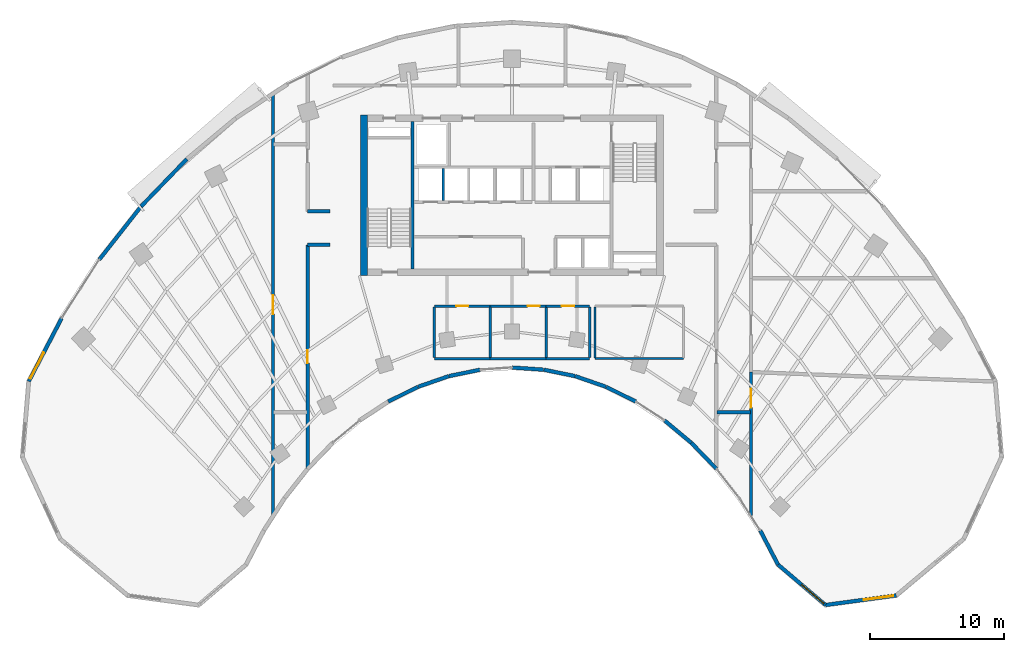
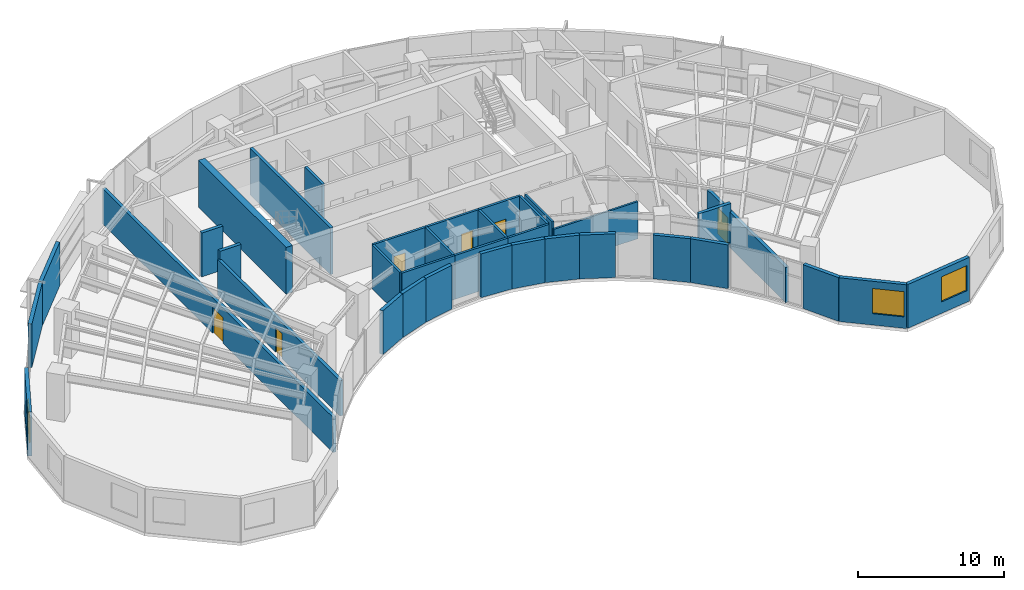
# One storey, part 8 of 13: 36 walls, 6 doors, 3 windows, 9 openings.
"""IFC4 building model written with IfcOpenShell, lengths in metres."""

import ifcopenshell
import ifcopenshell.guid

model = None  # the IFC model being written
_history = None  # IfcOwnerHistory: only IFC2X3 demands one
_inside = {}  # id of a spatial element -> (the spatial element, [elements in it])
_under = {}  # id of a project, library or spatial element -> (it, [spatial elements below it])
_declared = {}  # id of a project -> (the project, [libraries it declares])
_typed = {}  # id of a type object -> (the type object, [elements of that type])
_made_of = {}  # id of a material, layer set ... -> (it, [elements and type objects made of it])


def new_model(schema):
    """Start an empty IFC model of exactly this schema.

    Asked for "IFC4X3", IfcOpenShell would pick the latest addendum, in which some entities
    have other attributes; the version numbers below select the first issue.
    IFC2X3 requires an IfcOwnerHistory on every rooted entity: one is made here for all.
    """
    global model, _history
    if schema == "IFC4X3":
        model = ifcopenshell.file(schema_version=(4, 3, 0, 0))
    else:
        model = ifcopenshell.file(schema=schema)
    _inside.clear()
    _under.clear()
    _declared.clear()
    _typed.clear()
    _made_of.clear()
    _history = None
    if model.schema == "IFC2X3":
        org = make("IfcOrganization", Name="unknown")
        user = make(
            "IfcPersonAndOrganization",
            ThePerson=make("IfcPerson", FamilyName="unknown"),
            TheOrganization=org,
        )
        app = make(
            "IfcApplication",
            ApplicationDeveloper=org,
            Version="unknown",
            ApplicationFullName="unknown",
            ApplicationIdentifier="unknown",
        )
        _history = make(
            "IfcOwnerHistory",
            OwningUser=user,
            OwningApplication=app,
            ChangeAction="ADDED",
            CreationDate=0,
        )
    return model


def make(cls, **values):
    """One entity of the class cls with the attributes given. An attribute that is None is left unset."""
    return model.create_entity(
        cls, **{name: value for name, value in values.items() if value is not None}
    )


def rooted(cls, **values):
    """An entity with a GlobalId (a new one), such as an element, a storey or a relation."""
    return make(cls, GlobalId=ifcopenshell.guid.new(), OwnerHistory=_history, **values)


def si_unit(unit_type, name, prefix=None):
    """IfcSIUnit, for example si_unit("LENGTHUNIT", "METRE", prefix="MILLI")."""
    return make("IfcSIUnit", UnitType=unit_type, Prefix=prefix, Name=name)


def assignment(units):
    """IfcUnitAssignment: the units of a project."""
    return None if units is None else make("IfcUnitAssignment", Units=units)


def point(xyz):
    """IfcCartesianPoint."""
    return None if xyz is None else make("IfcCartesianPoint", Coordinates=xyz)


def direction(xyz):
    """IfcDirection."""
    return None if xyz is None else make("IfcDirection", DirectionRatios=xyz)


def frame(location, z_axis=None, x_axis=None):
    """IfcAxis2Placement3D, a coordinate frame: its origin and axes. An axis left out is left unset."""
    return make(
        "IfcAxis2Placement3D",
        Location=point(location),
        Axis=direction(z_axis),
        RefDirection=direction(x_axis),
    )


def frame_2d(location, x_axis=None):
    """IfcAxis2Placement2D, a coordinate frame in the plane: its origin and x axis."""
    return make(
        "IfcAxis2Placement2D", Location=point(location), RefDirection=direction(x_axis)
    )


def origin():
    """The frame at (0, 0, 0) with its axes left unset."""
    return frame((0.0, 0.0, 0.0))


def place(relative_to, where):
    """IfcLocalPlacement: puts the frame where relative to a parent placement (None: the world)."""
    return make(
        "IfcLocalPlacement", PlacementRelTo=relative_to, RelativePlacement=where
    )


def context(
    kind, dimensions, precision=None, world=None, true_north=None, identifier=None
):
    """IfcGeometricRepresentationContext, for example the 3D "Model" context."""
    return make(
        "IfcGeometricRepresentationContext",
        ContextIdentifier=identifier,
        ContextType=kind,
        CoordinateSpaceDimension=dimensions,
        Precision=precision,
        WorldCoordinateSystem=world,
        TrueNorth=true_north,
    )


def subcontext(parent, identifier, kind, view, scale=None):
    """IfcGeometricRepresentationSubContext, for example "Body" below "Model"."""
    return make(
        "IfcGeometricRepresentationSubContext",
        ContextIdentifier=identifier,
        ContextType=kind,
        ParentContext=parent,
        TargetScale=scale,
        TargetView=view,
    )


def project(units=None, contexts=None):
    """IfcProject with its units and contexts."""
    return rooted(
        "IfcProject",
        Name="project",
        RepresentationContexts=contexts,
        UnitsInContext=assignment(units),
    )


def spatial(cls, under=None, at=None, **own):
    """A site, building, storey or space (cls), placed at a placement, below another one or the project."""
    s = rooted(cls, ObjectPlacement=at, **own)
    if under is not None:
        _under.setdefault(under.id(), (under, []))[1].append(s)
    return s


def profile(cls, at=None, kind="AREA", **sizes):
    """A parametric profile (cls). Its sizes go by their IFC names, for example OverallWidth=200.0."""
    return make(cls, ProfileType=kind, Position=at, **sizes)


def rectangle(**sizes):
    """IfcRectangleProfileDef."""
    return profile("IfcRectangleProfileDef", **sizes)


def extrude(swept, where, along, depth):
    """IfcExtrudedAreaSolid: the profile swept, set in the frame where, extruded along a direction by depth."""
    return make(
        "IfcExtrudedAreaSolid",
        SweptArea=swept,
        Position=where,
        ExtrudedDirection=direction(along),
        Depth=depth,
    )


def shape(context_of_items, identifier, shape_type, items):
    """IfcShapeRepresentation: the items that make up one representation, for example the "Body"."""
    return make(
        "IfcShapeRepresentation",
        ContextOfItems=context_of_items,
        RepresentationIdentifier=identifier,
        RepresentationType=shape_type,
        Items=items,
    )


def source(mapping_origin, context_of_items, identifier, shape_type, items):
    """IfcRepresentationMap: a shape defined once, which mapped items show again and again."""
    return make(
        "IfcRepresentationMap",
        MappingOrigin=mapping_origin,
        MappedRepresentation=shape(context_of_items, identifier, shape_type, items),
    )


def transform(
    local_origin,
    x_axis=None,
    y_axis=None,
    z_axis=None,
    scale=None,
    scale2=None,
    scale3=None,
    uniform=True,
):
    """IfcCartesianTransformationOperator3D, or its non-uniform kind. x_axis, y_axis, z_axis: its Axis1, 2, 3."""
    if uniform:
        return make(
            "IfcCartesianTransformationOperator3D",
            Axis1=direction(x_axis),
            Axis2=direction(y_axis),
            LocalOrigin=point(local_origin),
            Scale=scale,
            Axis3=direction(z_axis),
        )
    return make(
        "IfcCartesianTransformationOperator3DnonUniform",
        Axis1=direction(x_axis),
        Axis2=direction(y_axis),
        LocalOrigin=point(local_origin),
        Scale=scale,
        Axis3=direction(z_axis),
        Scale2=scale2,
        Scale3=scale3,
    )


def mapped(mapping_source, mapping_target):
    """IfcMappedItem: shows the shape of a source again, moved by a transform."""
    return make(
        "IfcMappedItem", MappingSource=mapping_source, MappingTarget=mapping_target
    )


def material(Name=None, Category=None):
    """IfcMaterial."""
    return make("IfcMaterial", Name=Name, Category=Category)


def layer(
    of_material, thickness, ventilated=None, Name=None, Category=None, Priority=None
):
    """IfcMaterialLayer: one layer of a wall or slab, of a material (None: an air gap)."""
    return make(
        "IfcMaterialLayer",
        Material=of_material,
        LayerThickness=thickness,
        IsVentilated=ventilated,
        Name=Name,
        Category=Category,
        Priority=Priority,
    )


def layer_set(layers, Name=None):
    """IfcMaterialLayerSet."""
    return make("IfcMaterialLayerSet", MaterialLayers=layers, LayerSetName=Name)


def made_of(thing, what):
    """Note that an element or type object is made of a material, layer set ...; save() writes the relation."""
    if what is not None:
        _made_of.setdefault(what.id(), (what, []))[1].append(thing)
    return thing


def type_object(cls, material=None, **own):
    """A type object (cls), such as IfcWallType, which elements share."""
    return made_of(rooted(cls, **own), material)


def type_shapes(of_type, sources):
    """Give a type object the sources (RepresentationMaps) that its elements show as mapped items."""
    of_type.RepresentationMaps = sources


def element(
    cls,
    number,
    at=None,
    inside=None,
    cuts=None,
    type_object=None,
    material=None,
    context=None,
    identifier="Body",
    shape_type=None,
    held_by="IfcProductDefinitionShape",
    body=None,
    shapes=None,
    **own,
):
    """One element of the class cls, such as IfcWall. Its Tag is "e" and its number.

    at: its placement. inside: the storey or other place that contains it. cuts: it is an
    opening in that element (IfcRelVoidsElement). A single representation is given by context,
    identifier, shape_type and body (its items); several are given by shapes. held_by: the class
    of the entity that holds the representations. save() writes the other relations.
    """
    e = rooted(cls, Tag="e%d" % number, ObjectPlacement=at, **own)
    if body is not None:
        shapes = [shape(context, identifier, shape_type, body)]
    if shapes is not None:
        e.Representation = make(held_by, Representations=shapes)
    if inside is not None:
        _inside.setdefault(inside.id(), (inside, []))[1].append(e)
    if cuts is not None:
        rooted(
            "IfcRelVoidsElement", RelatingBuildingElement=cuts, RelatedOpeningElement=e
        )
    if type_object is not None:
        _typed.setdefault(type_object.id(), (type_object, []))[1].append(e)
    return made_of(e, material)


def fill(opening, filler):
    """IfcRelFillsElement: the door or window that sits in an opening."""
    return rooted(
        "IfcRelFillsElement",
        RelatingOpeningElement=opening,
        RelatedBuildingElement=filler,
    )


def aggregate(whole, parts):
    """IfcRelAggregates: a whole, such as a stair, and the parts it consists of."""
    return rooted("IfcRelAggregates", RelatingObject=whole, RelatedObjects=parts)


def save(model, path):
    """Write the relations noted so far, then the file.

    IfcRelAggregates (storeys below a building ...), IfcRelContainedInSpatialStructure (elements
    in a storey), IfcRelDefinesByType, IfcRelAssociatesMaterial and IfcRelDeclares: one each for
    every whole, place, type object, material and project.
    """
    for whole, parts in _under.values():
        aggregate(whole, parts)
    for where, things in _inside.values():
        rooted(
            "IfcRelContainedInSpatialStructure",
            RelatedElements=things,
            RelatingStructure=where,
        )
    for kind, things in _typed.values():
        rooted("IfcRelDefinesByType", RelatedObjects=things, RelatingType=kind)
    for what, things in _made_of.values():
        rooted("IfcRelAssociatesMaterial", RelatedObjects=things, RelatingMaterial=what)
    for by, libraries in _declared.values():
        rooted("IfcRelDeclares", RelatingContext=by, RelatedDefinitions=libraries)
    model.write(path)


model = new_model("IFC4")

# Units and contexts
model_context = context("Model", 3, precision=1e-05, world=origin(), true_north=direction((0.0, 1.0)))
body_context = subcontext(model_context, "Body", "Model", "MODEL_VIEW")
ifc_project = project(units=[si_unit("LENGTHUNIT", "METRE"), si_unit("AREAUNIT", "SQUARE_METRE"), si_unit("VOLUMEUNIT", "CUBIC_METRE"), si_unit("PLANEANGLEUNIT", "RADIAN"), si_unit("MASSUNIT", "GRAM", prefix="KILO")], contexts=[model_context])

# Site, building, storey
site_placement = place(None, origin())
site = spatial("IfcSite", under=ifc_project, at=site_placement, CompositionType="ELEMENT")
building_placement = place(site_placement, origin())
building = spatial("IfcBuilding", under=site, at=building_placement, Name="Breltana Convention Tower", CompositionType="ELEMENT")
storey_placement = place(building_placement, frame((0.0, 0.0, 127.199951171875)))
storey = spatial("IfcBuildingStorey", under=building, at=storey_placement, Name="L30", CompositionType="ELEMENT", Elevation=127.199951171875)

# Walls
ifc_material_1 = material(Name="Concrete C60/75", Category="concrete")
ifc_layer_1 = layer(ifc_material_1, 0.5, Name="Concrete C60/75")
ifc_layer_set_1 = layer_set([ifc_layer_1], Name="Concrete C60/75")
wall_type_1 = type_object("IfcWallType", Name="SW-CORE-500", PredefinedType="SHEAR", material=ifc_layer_set_1)
shared_shape_1 = source(origin(), body_context, "Body", "SweptSolid", [
    extrude(rectangle(XDim=12.0, YDim=0.5, at=frame_2d((6.0, 0.0))), origin(), (0.0, 0.0, 1.0), 3.900146484375),
])
wall_1_placement = place(storey_placement, frame((36.949951171875, 60.199951171875, 0.0), z_axis=(0.0, 0.0, 1.0), x_axis=(0.0, 1.0, 0.0)))
element("IfcWall", 1, at=wall_1_placement, inside=storey, type_object=wall_type_1, Name="L30 West Core Shear Wall", PredefinedType="SHEAR", context=body_context, shape_type="MappedRepresentation", body=[
    mapped(shared_shape_1, transform((0.0, 0.0, 0.0), scale=1.0)),
])
ifc_material_2 = material(Name="Concrete C50/60", Category="concrete")
ifc_layer_2 = layer(ifc_material_2, 0.39990234375, Name="Concrete C50/60")
ifc_layer_set_2 = layer_set([ifc_layer_2], Name="Concrete C50/60")
wall_type_2 = type_object("IfcWallType", Name="SW-CORE-400", PredefinedType="SHEAR", material=ifc_layer_set_2)
shared_shape_2 = source(origin(), body_context, "Body", "SweptSolid", [
    extrude(rectangle(XDim=11.0, YDim=0.219970703125, at=frame_2d((5.5, 0.0))), origin(), (0.0, 0.0, 1.0), 3.900146484375),
])
wall_2_placement = place(storey_placement, frame((40.580078125, 60.699951171875, 0.0), z_axis=(0.0, 0.0, 1.0), x_axis=(0.0, 1.0, 0.0)))
element("IfcWall", 2, at=wall_2_placement, inside=storey, type_object=wall_type_2, Name="L30 Core West Stair Spine Wall", PredefinedType="SHEAR", context=body_context, shape_type="MappedRepresentation", body=[
    mapped(shared_shape_2, transform((0.0, 0.0, 0.0), scale=1.0)),
])

# Wall, opening, window
ifc_material_3 = material(Name="Limestone Buff Insulated Wall", Category="masonry")
ifc_layer_3 = layer(ifc_material_3, 0.280029296875, Name="Limestone Buff Insulated Wall")
ifc_layer_set_3 = layer_set([ifc_layer_3], Name="Limestone Buff Insulated Wall")
wall_type_3 = type_object("IfcWallType", Name="WL-EXT-NOSE-280", PredefinedType="SOLIDWALL", material=ifc_layer_set_3)
shared_shape_3 = source(origin(), body_context, "Body", "SweptSolid", [
    extrude(rectangle(XDim=5.32373046875, YDim=0.280029296875, at=frame_2d((2.661865234375, 0.0))), origin(), (0.0, 0.0, 1.0), 3.650146484375),
])
wall_3_placement = place(storey_placement, frame((76.685791015625, 36.321533203125, 0.0), z_axis=(0.0, 0.0, 1.0), x_axis=(-0.990931467223, -0.134368252451, 0.0)))
wall_3 = element("IfcWall", 3, at=wall_3_placement, inside=storey, type_object=wall_type_3, Name="L30 curved limestone nose wall E4", PredefinedType="SOLIDWALL", context=body_context, shape_type="MappedRepresentation", body=[
    mapped(shared_shape_3, transform((0.0, 0.0, 0.0), scale=1.0)),
])
opening_1_placement = place(wall_3_placement, frame((0.23095703125, 0.0, 0.949951171875)))
opening_1 = element("IfcOpeningElement", 4, at=opening_1_placement, cuts=wall_3, Name="Opening W-03", PredefinedType="OPENING", context=body_context, shape_type="SweptSolid", body=[
    extrude(rectangle(XDim=2.199951171875, YDim=2.10009765625, at=frame_2d((1.10009765625, 1.050048828125))), frame((0.0, 0.14990234375, 0.0), z_axis=(0.0, -1.0, 0.0), x_axis=(1.0, 0.0, 0.0)), (0.0, 0.0, 1.0), 0.300048828125),
])
ifc_material_4 = material(Name="Glass Low-E Insulated Window", Category="glass")
window_type = type_object("IfcWindowType", Name="WN-NOSE-2200X2100", PartitioningType="TRIPLE_PANEL_VERTICAL", PredefinedType="WINDOW", material=ifc_material_4)
shared_shape_4 = source(origin(), body_context, "Body", "SweptSolid", [
    extrude(rectangle(XDim=2.199951171875, YDim=2.10009765625, at=frame_2d((1.10009765625, 1.050048828125))), frame((0.0, 0.030029296875, 0.0), z_axis=(0.0, -1.0, 0.0), x_axis=(1.0, 0.0, 0.0)), (0.0, 0.0, 1.0), 0.06005859375),
])
type_shapes(window_type, [shared_shape_4])
window_1_placement = place(opening_1_placement, origin())
window_1 = element("IfcWindow", 5, at=window_1_placement, inside=storey, type_object=window_type, Name="L30 nose window E4", OverallHeight=2.10009765625, OverallWidth=2.199951171875, PartitioningType="TRIPLE_PANEL_VERTICAL", PredefinedType="WINDOW", context=body_context, shape_type="MappedRepresentation", body=[
    mapped(shared_shape_4, transform((0.0, 0.0, 0.0), scale=1.0)),
])
fill(opening_1, window_1)

shared_shape_5 = source(origin(), body_context, "Body", "SweptSolid", [
    extrude(rectangle(XDim=4.6591796875, YDim=0.280029296875, at=frame_2d((2.32958984375, 0.0))), origin(), (0.0, 0.0, 1.0), 3.650146484375),
])
wall_4_placement = place(storey_placement, frame((71.410400390625, 35.606201171875, 0.0), z_axis=(0.0, 0.0, 1.0), x_axis=(-0.761913458795, 0.647678841176, 0.0)))
wall_4 = element("IfcWall", 6, at=wall_4_placement, inside=storey, type_object=wall_type_3, Name="L30 curved limestone nose wall E5", PredefinedType="SOLIDWALL", context=body_context, shape_type="MappedRepresentation", body=[
    mapped(shared_shape_5, transform((0.0, 0.0, 0.0), scale=1.0)),
])
opening_2_placement = place(wall_4_placement, frame((0.159912109375, 0.0, 0.949951171875)))
opening_2 = element("IfcOpeningElement", 7, at=opening_2_placement, cuts=wall_4, Name="Opening W-03", PredefinedType="OPENING", context=body_context, shape_type="SweptSolid", body=[
    extrude(rectangle(XDim=2.199951171875, YDim=2.10009765625, at=frame_2d((1.10009765625, 1.050048828125))), frame((0.0, 0.14990234375, 0.0), z_axis=(0.0, -1.0, 0.0), x_axis=(1.0, 0.0, 0.0)), (0.0, 0.0, 1.0), 0.300048828125),
])
window_2_placement = place(opening_2_placement, origin())
window_2 = element("IfcWindow", 8, at=window_2_placement, inside=storey, type_object=window_type, Name="L30 nose window E5", OverallHeight=2.10009765625, OverallWidth=2.199951171875, PartitioningType="TRIPLE_PANEL_VERTICAL", PredefinedType="WINDOW", context=body_context, shape_type="MappedRepresentation", body=[
    mapped(shared_shape_4, transform((0.0, 0.0, 0.0), scale=1.0)),
])
fill(opening_2, window_2)

# Walls
shared_shape_6 = source(origin(), body_context, "Body", "SweptSolid", [
    extrude(rectangle(XDim=2.8798828125, YDim=0.280029296875, at=frame_2d((1.43994140625, 0.0))), origin(), (0.0, 0.0, 1.0), 3.650146484375),
])
wall_5_placement = place(storey_placement, frame((67.860595703125, 38.623779296875, 0.0), z_axis=(0.0, 0.0, 1.0), x_axis=(-0.461769086658, 0.887000175088, 0.0)))
element("IfcWall", 9, at=wall_5_placement, inside=storey, type_object=wall_type_3, Name="L30 curved limestone nose wall E6", PredefinedType="SOLIDWALL", context=body_context, shape_type="MappedRepresentation", body=[
    mapped(shared_shape_6, transform((0.0, 0.0, 0.0), scale=1.0)),
])
shared_shape_7 = source(origin(), body_context, "Body", "SweptSolid", [
    extrude(rectangle(XDim=2.679931640625, YDim=0.280029296875, at=frame_2d((1.33984375, 0.0))), origin(), (0.0, 0.0, 1.0), 3.650146484375),
])
wall_6_placement = place(storey_placement, frame((63.260009765625, 45.780029296875, 0.0), z_axis=(0.0, 0.0, 1.0), x_axis=(-0.694561996568, 0.719432855049, 0.0)))
element("IfcWall", 10, at=wall_6_placement, inside=storey, type_object=wall_type_3, Name="L30 curved limestone nose wall E7", PredefinedType="SOLIDWALL", context=body_context, shape_type="MappedRepresentation", body=[
    mapped(shared_shape_7, transform((0.0, 0.0, 0.0), scale=1.0)),
])
shared_shape_8 = source(origin(), body_context, "Body", "SweptSolid", [
    extrude(rectangle(XDim=2.600830078125, YDim=0.280029296875, at=frame_2d((1.30029296875, 0.0))), origin(), (0.0, 0.0, 1.0), 3.650146484375),
])
wall_7_placement = place(storey_placement, frame((61.384521484375, 47.72119140625, 0.0), z_axis=(0.0, 0.0, 1.0), x_axis=(-0.76796730295, 0.640489048775, 0.0)))
element("IfcWall", 11, at=wall_7_placement, inside=storey, type_object=wall_type_3, Name="L30 curved limestone nose wall E8", PredefinedType="SOLIDWALL", context=body_context, shape_type="MappedRepresentation", body=[
    mapped(shared_shape_8, transform((0.0, 0.0, 0.0), scale=1.0)),
])
shared_shape_9 = source(origin(), body_context, "Body", "SweptSolid", [
    extrude(rectangle(XDim=2.46240234375, YDim=0.280029296875, at=frame_2d((1.231201171875, 0.0))), origin(), (0.0, 0.0, 1.0), 3.650146484375),
])
for number, where, z_axis, x_axis, name in (
    (12, (57.239013671875, 50.797119140625, 0.0), (0.0, 0.0, 1.0), (-0.8959882207, 0.444077817917, 0.0), "L30 curved limestone nose wall E9"),
    (13, (40.96728515625, 51.890625, 0.0), (0.0, 0.0, 1.0), (-0.8959882207, -0.444077817917, 0.0), "L30 curved limestone nose wall E15"),
):
    element("IfcWall", number, at=place(storey_placement, frame(where, z_axis=z_axis, x_axis=x_axis)), inside=storey, type_object=wall_type_3, Name=name, PredefinedType="SOLIDWALL", context=body_context, shape_type="MappedRepresentation", body=[
        mapped(shared_shape_9, transform((0.0, 0.0, 0.0), scale=1.0)),
    ])
shared_shape_10 = source(origin(), body_context, "Body", "SweptSolid", [
    extrude(rectangle(XDim=2.41064453125, YDim=0.280029296875, at=frame_2d((1.205322265625, 0.0))), origin(), (0.0, 0.0, 1.0), 3.650146484375),
])
for number, where, z_axis, x_axis, name in (
    (14, (55.01171875, 51.8994140625, 0.0), (0.0, 0.0, 1.0), (-0.944880068161, 0.327416640982, 0.0), "L30 curved limestone nose wall E10"),
    (15, (43.26611328125, 52.688720703125, 0.0), (0.0, 0.0, 1.0), (-0.944880068161, -0.327416640982, 0.0), "L30 curved limestone nose wall E14"),
):
    element("IfcWall", number, at=place(storey_placement, frame(where, z_axis=z_axis, x_axis=x_axis)), inside=storey, type_object=wall_type_3, Name=name, PredefinedType="SOLIDWALL", context=body_context, shape_type="MappedRepresentation", body=[
        mapped(shared_shape_10, transform((0.0, 0.0, 0.0), scale=1.0)),
    ])
shared_shape_11 = source(origin(), body_context, "Body", "SweptSolid", [
    extrude(rectangle(XDim=2.373779296875, YDim=0.280029296875, at=frame_2d((1.18701171875, 0.0))), origin(), (0.0, 0.0, 1.0), 3.650146484375),
])
for number, where, z_axis, x_axis, name in (
    (16, (52.711181640625, 52.695068359375, 0.0), (0.0, 0.0, 1.0), (-0.979619827472, 0.200860632341, 0.0), "L30 curved limestone nose wall E11"),
    (17, (45.6142578125, 53.171875, 0.0), (0.0, 0.0, 1.0), (-0.979619827472, -0.200860632341, 0.0), "L30 curved limestone nose wall E13"),
):
    element("IfcWall", number, at=place(storey_placement, frame(where, z_axis=z_axis, x_axis=x_axis)), inside=storey, type_object=wall_type_3, Name=name, PredefinedType="SOLIDWALL", context=body_context, shape_type="MappedRepresentation", body=[
        mapped(shared_shape_11, transform((0.0, 0.0, 0.0), scale=1.0)),
    ])
shared_shape_12 = source(origin(), body_context, "Body", "SweptSolid", [
    extrude(rectangle(XDim=2.35498046875, YDim=0.280029296875, at=frame_2d((1.177490234375, 0.0))), origin(), (0.0, 0.0, 1.0), 3.650146484375),
])
wall_8_placement = place(storey_placement, frame((50.36181640625, 53.175048828125, 0.0), z_axis=(0.0, 0.0, 1.0), x_axis=(-0.997699017577, 0.067798748701, 0.0)))
element("IfcWall", 18, at=wall_8_placement, inside=storey, type_object=wall_type_3, Name="L30 curved limestone nose wall E12", PredefinedType="SOLIDWALL", context=body_context, shape_type="MappedRepresentation", body=[
    mapped(shared_shape_12, transform((0.0, 0.0, 0.0), scale=1.0)),
])

# Wall, opening, window
shared_shape_13 = source(origin(), body_context, "Body", "SweptSolid", [
    extrude(rectangle(XDim=5.315185546875, YDim=0.280029296875, at=frame_2d((2.65771484375, 0.0))), origin(), (0.0, 0.0, 1.0), 3.650146484375),
])
wall_9_placement = place(storey_placement, frame((11.92236328125, 52.305419921875, 0.0), z_axis=(0.0, 0.0, 1.0), x_axis=(0.461760527822, 0.887004630735, 0.0)))
wall_9 = element("IfcWall", 19, at=wall_9_placement, inside=storey, type_object=wall_type_3, Name="L30 curved limestone nose wall W7", PredefinedType="SOLIDWALL", context=body_context, shape_type="MappedRepresentation", body=[
    mapped(shared_shape_13, transform((0.0, 0.0, 0.0), scale=1.0)),
])
opening_3_placement = place(wall_9_placement, frame((0.228759765625, 0.0, 0.949951171875)))
opening_3 = element("IfcOpeningElement", 20, at=opening_3_placement, cuts=wall_9, Name="Opening W-03", PredefinedType="OPENING", context=body_context, shape_type="SweptSolid", body=[
    extrude(rectangle(XDim=2.199951171875, YDim=2.10009765625, at=frame_2d((1.10009765625, 1.050048828125))), frame((0.0, 0.14990234375, 0.0), z_axis=(0.0, -1.0, 0.0), x_axis=(1.0, 0.0, 0.0)), (0.0, 0.0, 1.0), 0.300048828125),
])
window_3_placement = place(opening_3_placement, origin())
window_3 = element("IfcWindow", 21, at=window_3_placement, inside=storey, type_object=window_type, Name="L30 nose window W7", OverallHeight=2.10009765625, OverallWidth=2.199951171875, PartitioningType="TRIPLE_PANEL_VERTICAL", PredefinedType="WINDOW", context=body_context, shape_type="MappedRepresentation", body=[
    mapped(shared_shape_4, transform((0.0, 0.0, 0.0), scale=1.0)),
])
fill(opening_3, window_3)

# Walls
shared_shape_14 = source(origin(), body_context, "Body", "SweptSolid", [
    extrude(rectangle(XDim=5.05810546875, YDim=0.280029296875, at=frame_2d((2.529052734375, 0.0))), origin(), (0.0, 0.0, 1.0), 3.650146484375),
])
wall_10_placement = place(storey_placement, frame((17.1884765625, 61.400390625, 0.0), z_axis=(0.0, 0.0, 1.0), x_axis=(0.618145507434, 0.786063694391, 0.0)))
element("IfcWall", 22, at=wall_10_placement, inside=storey, type_object=wall_type_3, Name="L30 curved limestone nose wall E20", PredefinedType="SOLIDWALL", context=body_context, shape_type="MappedRepresentation", body=[
    mapped(shared_shape_14, transform((0.0, 0.0, 0.0), scale=1.0)),
])
shared_shape_15 = source(origin(), body_context, "Body", "SweptSolid", [
    extrude(rectangle(XDim=4.908447265625, YDim=0.280029296875, at=frame_2d((2.4541015625, 0.0))), origin(), (0.0, 0.0, 1.0), 3.650146484375),
])
wall_11_placement = place(storey_placement, frame((20.315185546875, 65.37646484375, 0.0), z_axis=(0.0, 0.0, 1.0), x_axis=(0.694613154328, 0.719383462302, 0.0)))
element("IfcWall", 23, at=wall_11_placement, inside=storey, type_object=wall_type_3, Name="L30 curved limestone nose wall E21", PredefinedType="SOLIDWALL", context=body_context, shape_type="MappedRepresentation", body=[
    mapped(shared_shape_15, transform((0.0, 0.0, 0.0), scale=1.0)),
])
ifc_material_5 = material(Name="Gypsum Acoustic Drywall Partition")
ifc_layer_4 = layer(ifc_material_5, 0.14990234375, Name="Gypsum Acoustic Drywall Partition")
ifc_layer_set_4 = layer_set([ifc_layer_4], Name="Gypsum Acoustic Drywall Partition")
wall_type_4 = type_object("IfcWallType", Name="WL-PART-150", PredefinedType="PARTITIONING", material=ifc_layer_set_4)
shared_shape_16 = source(origin(), body_context, "Body", "SweptSolid", [
    extrude(rectangle(XDim=6.60009765625, YDim=0.14990234375, at=frame_2d((3.300048828125, 0.0))), origin(), (0.0, 0.0, 1.0), 3.094970703125),
])
wall_12_placement = place(storey_placement, frame((54.199951171875, 54.0, 0.0), z_axis=(0.0, 0.0, 1.0), x_axis=(1.0, 0.0, 0.0)))
element("IfcWall", 24, at=wall_12_placement, inside=storey, type_object=wall_type_4, Name="L30 interior partition W-L30-PNT-S", PredefinedType="PARTITIONING", context=body_context, shape_type="MappedRepresentation", body=[
    mapped(shared_shape_16, transform((0.0, 0.0, 0.0), scale=1.0)),
])
ifc_material_6 = material(Name="Autoclaved Aerated Concrete Block", Category="concrete")
ifc_layer_5 = layer(ifc_material_6, 0.199951171875, Name="Autoclaved Aerated Concrete Block")
ifc_layer_set_5 = layer_set([ifc_layer_5], Name="Autoclaved Aerated Concrete Block")
wall_type_5 = type_object("IfcWallType", Name="WL-SHAFT-200", PredefinedType="SOLIDWALL", material=ifc_layer_set_5)
shared_shape_17 = source(origin(), body_context, "Body", "SweptSolid", [
    extrude(rectangle(XDim=2.39990234375, YDim=0.199951171875, at=frame_2d((1.199951171875, 0.0))), origin(), (0.0, 0.0, 1.0), 3.650146484375),
])
wall_13_placement = place(storey_placement, frame((42.8701171875, 65.800048828125, 0.0), z_axis=(0.0, 0.0, 1.0), x_axis=(0.0, 1.0, 0.0)))
element("IfcWall", 25, at=wall_13_placement, inside=storey, type_object=wall_type_5, Name="L30 interior partition W-L30-SH-M-DIV1", PredefinedType="SOLIDWALL", context=body_context, shape_type="MappedRepresentation", body=[
    mapped(shared_shape_17, transform((0.0, 0.0, 0.0), scale=1.0)),
])
ifc_material_7 = material(Name="Cement Board Wet-Area Partition")
ifc_layer_6 = layer(ifc_material_7, 0.175048828125, Name="Cement Board Wet-Area Partition")
ifc_layer_set_6 = layer_set([ifc_layer_6], Name="Cement Board Wet-Area Partition")
wall_type_6 = type_object("IfcWallType", Name="WL-WET-175", PredefinedType="PARTITIONING", material=ifc_layer_set_6)
shared_shape_18 = source(origin(), body_context, "Body", "SweptSolid", [
    extrude(rectangle(XDim=4.176025390625, YDim=0.175048828125, at=frame_2d((2.087890625, 0.0))), origin(), (0.0, 0.0, 1.0), 3.650146484375),
])
for number, where, z_axis, x_axis, name in (
    (26, (42.199951171875, 54.0, 0.0), (0.0, 0.0, 1.0), (1.0, 0.0, 0.0), "L30 interior partition W-L30-WCM-S"),
    (27, (46.3759765625, 54.0, 0.0), (0.0, 0.0, 1.0), (1.0, 0.0, 0.0), "L30 interior partition W-L30-WCF-S"),
):
    element("IfcWall", number, at=place(storey_placement, frame(where, z_axis=z_axis, x_axis=x_axis)), inside=storey, type_object=wall_type_6, Name=name, PredefinedType="PARTITIONING", context=body_context, shape_type="MappedRepresentation", body=[
        mapped(shared_shape_18, transform((0.0, 0.0, 0.0), scale=1.0)),
    ])

# Wall, opening, door
ifc_material_8 = material(Name="Moisture-Resistant Gypsum Chase Wall")
ifc_layer_7 = layer(ifc_material_8, 0.179931640625, Name="Moisture-Resistant Gypsum Chase Wall")
ifc_layer_set_7 = layer_set([ifc_layer_7], Name="Moisture-Resistant Gypsum Chase Wall")
wall_type_7 = type_object("IfcWallType", Name="WL-PLUMB-180", PredefinedType="PLUMBINGWALL", material=ifc_layer_set_7)
shared_shape_19 = source(origin(), body_context, "Body", "SweptSolid", [
    extrude(rectangle(XDim=4.176025390625, YDim=0.179931640625, at=frame_2d((2.087890625, 0.0))), origin(), (0.0, 0.0, 1.0), 3.650146484375),
])
wall_14_placement = place(storey_placement, frame((42.199951171875, 57.919921875, 0.0), z_axis=(0.0, 0.0, 1.0), x_axis=(1.0, 0.0, 0.0)))
wall_14 = element("IfcWall", 28, at=wall_14_placement, inside=storey, type_object=wall_type_7, Name="L30 interior partition W-L30-WCM-N", PredefinedType="PLUMBINGWALL", context=body_context, shape_type="MappedRepresentation", body=[
    mapped(shared_shape_19, transform((0.0, 0.0, 0.0), scale=1.0)),
])
opening_4_placement = place(wall_14_placement, frame((1.637939453125, 0.0, 0.0)))
opening_4 = element("IfcOpeningElement", 29, at=opening_4_placement, cuts=wall_14, Name="Opening D-19", PredefinedType="OPENING", context=body_context, shape_type="SweptSolid", body=[
    extrude(rectangle(XDim=0.89990234375, YDim=2.080078125, at=frame_2d((0.449951171875, 1.0400390625))), frame((0.0, 0.10009765625, 0.0), z_axis=(0.0, -1.0, 0.0), x_axis=(1.0, 0.0, 0.0)), (0.0, 0.0, 1.0), 0.199951171875),
])
ifc_material_9 = material(Name="Timber Moisture-Resistant Door", Category="wood")
door_type_1 = type_object("IfcDoorType", Name="DR-WC-900", OperationType="NOTDEFINED", PredefinedType="DOOR", material=ifc_material_9)
shared_shape_20 = source(origin(), body_context, "Body", "SweptSolid", [
    extrude(rectangle(XDim=0.89990234375, YDim=2.080078125, at=frame_2d((0.449951171875, 1.0400390625))), frame((0.0, 0.02490234375, 0.0), z_axis=(0.0, -1.0, 0.0), x_axis=(1.0, 0.0, 0.0)), (0.0, 0.0, 1.0), 0.050048828125),
])
type_shapes(door_type_1, [shared_shape_20])
door_1_placement = place(opening_4_placement, origin())
door_1 = element("IfcDoor", 30, at=door_1_placement, inside=storey, type_object=door_type_1, Name="L30 interior door D-L30-WCM", OperationType="SINGLE_SWING_RIGHT", OverallHeight=2.080078125, OverallWidth=0.89990234375, PredefinedType="DOOR", context=body_context, shape_type="MappedRepresentation", body=[
    mapped(shared_shape_20, transform((0.0, 0.0, 0.0), scale=1.0)),
])
fill(opening_4, door_1)

wall_15_placement = place(storey_placement, frame((46.3759765625, 57.919921875, 0.0), z_axis=(0.0, 0.0, 1.0), x_axis=(1.0, 0.0, 0.0)))
wall_15 = element("IfcWall", 31, at=wall_15_placement, inside=storey, type_object=wall_type_7, Name="L30 interior partition W-L30-WCF-N", PredefinedType="PLUMBINGWALL", context=body_context, shape_type="MappedRepresentation", body=[
    mapped(shared_shape_19, transform((0.0, 0.0, 0.0), scale=1.0)),
])
opening_5_placement = place(wall_15_placement, frame((2.7880859375, 0.0, 0.0)))
opening_5 = element("IfcOpeningElement", 32, at=opening_5_placement, cuts=wall_15, Name="Opening D-19", PredefinedType="OPENING", context=body_context, shape_type="SweptSolid", body=[
    extrude(rectangle(XDim=0.89990234375, YDim=2.080078125, at=frame_2d((0.449951171875, 1.0400390625))), frame((0.0, 0.10009765625, 0.0), z_axis=(0.0, -1.0, 0.0), x_axis=(1.0, 0.0, 0.0)), (0.0, 0.0, 1.0), 0.199951171875),
])
door_2_placement = place(opening_5_placement, origin())
door_2 = element("IfcDoor", 33, at=door_2_placement, inside=storey, type_object=door_type_1, Name="L30 interior door D-L30-WCF", OperationType="SINGLE_SWING_LEFT", OverallHeight=2.080078125, OverallWidth=0.89990234375, PredefinedType="DOOR", context=body_context, shape_type="MappedRepresentation", body=[
    mapped(shared_shape_20, transform((0.0, 0.0, 0.0), scale=1.0)),
])
fill(opening_5, door_2)

# Walls
shared_shape_21 = source(origin(), body_context, "Body", "SweptSolid", [
    extrude(rectangle(XDim=3.7626953125, YDim=0.175048828125, at=frame_2d((1.88134765625, 0.0))), origin(), (0.0, 0.0, 1.0), 3.650146484375),
])
for number, where, z_axis, x_axis, name in (
    (34, (42.199951171875, 54.07861328125, 0.0), (0.0, 0.0, 1.0), (0.0, 1.0, 0.0), "L30 interior partition W-L30-WCM-W"),
    (35, (46.3759765625, 54.07861328125, 0.0), (0.0, 0.0, 1.0), (0.0, 1.0, 0.0), "L30 interior partition W-L30-WCM-E"),
    (36, (50.552001953125, 54.07861328125, 0.0), (0.0, 0.0, 1.0), (0.0, 1.0, 0.0), "L30 interior partition W-L30-WCF-E"),
    (37, (53.800048828125, 54.07861328125, 0.0), (0.0, 0.0, 1.0), (0.0, 1.0, 0.0), "L30 interior partition W-L30-WCA-E"),
):
    element("IfcWall", number, at=place(storey_placement, frame(where, z_axis=z_axis, x_axis=x_axis)), inside=storey, type_object=wall_type_6, Name=name, PredefinedType="PARTITIONING", context=body_context, shape_type="MappedRepresentation", body=[
        mapped(shared_shape_21, transform((0.0, 0.0, 0.0), scale=1.0)),
    ])
shared_shape_22 = source(origin(), body_context, "Body", "SweptSolid", [
    extrude(rectangle(XDim=3.248046875, YDim=0.175048828125, at=frame_2d((1.6240234375, 0.0))), origin(), (0.0, 0.0, 1.0), 3.650146484375),
])
wall_16_placement = place(storey_placement, frame((50.552001953125, 54.0, 0.0), z_axis=(0.0, 0.0, 1.0), x_axis=(1.0, 0.0, 0.0)))
element("IfcWall", 38, at=wall_16_placement, inside=storey, type_object=wall_type_6, Name="L30 interior partition W-L30-WCA-S", PredefinedType="PARTITIONING", context=body_context, shape_type="MappedRepresentation", body=[
    mapped(shared_shape_22, transform((0.0, 0.0, 0.0), scale=1.0)),
])

# Wall, opening, door
shared_shape_23 = source(origin(), body_context, "Body", "SweptSolid", [
    extrude(rectangle(XDim=3.248046875, YDim=0.179931640625, at=frame_2d((1.6240234375, 0.0))), origin(), (0.0, 0.0, 1.0), 3.650146484375),
])
wall_17_placement = place(storey_placement, frame((50.552001953125, 57.919921875, 0.0), z_axis=(0.0, 0.0, 1.0), x_axis=(1.0, 0.0, 0.0)))
wall_17 = element("IfcWall", 39, at=wall_17_placement, inside=storey, type_object=wall_type_7, Name="L30 interior partition W-L30-WCA-N", PredefinedType="PLUMBINGWALL", context=body_context, shape_type="MappedRepresentation", body=[
    mapped(shared_shape_23, transform((0.0, 0.0, 0.0), scale=1.0)),
])
opening_6_placement = place(wall_17_placement, frame((1.14892578125, 0.0, 0.0)))
opening_6 = element("IfcOpeningElement", 40, at=opening_6_placement, cuts=wall_17, Name="Opening D-16", PredefinedType="OPENING", context=body_context, shape_type="SweptSolid", body=[
    extrude(rectangle(XDim=0.949951171875, YDim=2.1201171875, at=frame_2d((0.47509765625, 1.06005859375))), frame((0.0, 0.10009765625, 0.0), z_axis=(0.0, -1.0, 0.0), x_axis=(1.0, 0.0, 0.0)), (0.0, 0.0, 1.0), 0.199951171875),
])
ifc_material_10 = material(Name="Timber Laminate Accessible Door", Category="wood")
door_type_2 = type_object("IfcDoorType", Name="DR-ACC-950", OperationType="NOTDEFINED", PredefinedType="DOOR", material=ifc_material_10)
shared_shape_24 = source(origin(), body_context, "Body", "SweptSolid", [
    extrude(rectangle(XDim=0.949951171875, YDim=2.1201171875, at=frame_2d((0.47509765625, 1.06005859375))), frame((0.0, 0.02490234375, 0.0), z_axis=(0.0, -1.0, 0.0), x_axis=(1.0, 0.0, 0.0)), (0.0, 0.0, 1.0), 0.050048828125),
])
type_shapes(door_type_2, [shared_shape_24])
door_3_placement = place(opening_6_placement, origin())
door_3 = element("IfcDoor", 41, at=door_3_placement, inside=storey, type_object=door_type_2, Name="L30 interior door D-L30-WCA", OperationType="SINGLE_SWING_RIGHT", OverallHeight=2.1201171875, OverallWidth=0.949951171875, PredefinedType="DOOR", context=body_context, shape_type="MappedRepresentation", body=[
    mapped(shared_shape_24, transform((0.0, 0.0, 0.0), scale=1.0)),
])
fill(opening_6, door_3)

# Walls
shared_shape_25 = source(origin(), body_context, "Body", "SweptSolid", [
    extrude(rectangle(XDim=3.78515625, YDim=0.14990234375, at=frame_2d((1.892578125, 0.0))), origin(), (0.0, 0.0, 1.0), 3.650146484375),
])
wall_18_placement = place(storey_placement, frame((54.199951171875, 54.0673828125, 0.0), z_axis=(0.0, 0.0, 1.0), x_axis=(0.0, 1.0, 0.0)))
element("IfcWall", 42, at=wall_18_placement, inside=storey, type_object=wall_type_4, Name="L30 interior partition W-L30-PNT-W", PredefinedType="PARTITIONING", context=body_context, shape_type="MappedRepresentation", body=[
    mapped(shared_shape_25, transform((0.0, 0.0, 0.0), scale=1.0)),
])
ifc_material_11 = material(Name="Gypsum Acoustic Double Stud Wall")
ifc_layer_8 = layer(ifc_material_11, 0.25, Name="Gypsum Acoustic Double Stud Wall")
ifc_layer_set_8 = layer_set([ifc_layer_8], Name="Gypsum Acoustic Double Stud Wall")
wall_type_8 = type_object("IfcWallType", Name="WL-ACOUSTIC-250", PredefinedType="PARTITIONING", material=ifc_layer_set_8)
shared_shape_26 = source(origin(), body_context, "Body", "SweptSolid", [
    extrude(rectangle(XDim=2.5, YDim=0.25, at=frame_2d((1.25, 0.0))), origin(), (0.0, 0.0, 1.0), 3.650146484375),
])
wall_19_placement = place(storey_placement, frame((63.300048828125, 50.0, 0.0), z_axis=(0.0, 0.0, 1.0), x_axis=(1.0, 0.0, 0.0)))
element("IfcWall", 43, at=wall_19_placement, inside=storey, type_object=wall_type_8, Name="L30 interior partition W-L30-CORNE-S", PredefinedType="PARTITIONING", context=body_context, shape_type="MappedRepresentation", body=[
    mapped(shared_shape_26, transform((0.0, 0.0, 0.0), scale=1.0)),
])

# Wall, opening, door
shared_shape_27 = source(origin(), body_context, "Body", "SweptSolid", [
    extrude(rectangle(XDim=31.495361328125, YDim=0.25, at=frame_2d((15.74755859375, 0.0))), origin(), (0.0, 0.0, 1.0), 2.942138671875),
])
wall_20_placement = place(storey_placement, frame((30.159912109375, 42.274169921875, 0.0), z_axis=(0.0, 0.0, 1.0), x_axis=(0.0, 1.0, 0.0)))
wall_20 = element("IfcWall", 44, at=wall_20_placement, inside=storey, type_object=wall_type_8, Name="L30 interior partition W-L30-ZW1-E", PredefinedType="PARTITIONING", context=body_context, shape_type="MappedRepresentation", body=[
    mapped(shared_shape_27, transform((0.0, 0.0, 0.0), scale=1.0)),
])
opening_7_placement = place(wall_20_placement, frame((15.047607421875, 0.0, 0.0)))
opening_7 = element("IfcOpeningElement", 45, at=opening_7_placement, cuts=wall_20, Name="Opening D-05", PredefinedType="OPENING", context=body_context, shape_type="SweptSolid", body=[
    extrude(rectangle(XDim=1.39990234375, YDim=2.14990234375, at=frame_2d((0.699951171875, 1.074951171875))), frame((0.0, 0.135009765625, 0.0), z_axis=(0.0, -1.0, 0.0), x_axis=(1.0, 0.0, 0.0)), (0.0, 0.0, 1.0), 0.27001953125),
])
ifc_material_12 = material(Name="Timber Veneer Glazed Double Door", Category="wood")
door_type_3 = type_object("IfcDoorType", Name="DR-DBL-1400", OperationType="DOUBLE_DOOR_SINGLE_SWING", PredefinedType="DOOR", material=ifc_material_12)
shared_shape_28 = source(origin(), body_context, "Body", "SweptSolid", [
    extrude(rectangle(XDim=1.39990234375, YDim=2.14990234375, at=frame_2d((0.699951171875, 1.074951171875))), frame((0.0, 0.02490234375, 0.0), z_axis=(0.0, -1.0, 0.0), x_axis=(1.0, 0.0, 0.0)), (0.0, 0.0, 1.0), 0.050048828125),
])
type_shapes(door_type_3, [shared_shape_28])
door_4_placement = place(opening_7_placement, origin())
door_4 = element("IfcDoor", 46, at=door_4_placement, inside=storey, type_object=door_type_3, Name="L30 interior door D-L30-ZW1", OperationType="SINGLE_SWING_RIGHT", OverallHeight=2.14990234375, OverallWidth=1.39990234375, PredefinedType="DOOR", context=body_context, shape_type="MappedRepresentation", body=[
    mapped(shared_shape_28, transform((0.0, 0.0, 0.0), scale=1.0)),
])
fill(opening_7, door_4)

shared_shape_29 = source(origin(), body_context, "Body", "SweptSolid", [
    extrude(rectangle(XDim=10.725830078125, YDim=0.25, at=frame_2d((5.36279296875, 0.0))), origin(), (0.0, 0.0, 1.0), 2.942138671875),
])
wall_21_placement = place(storey_placement, frame((65.840087890625, 42.274169921875, 0.0), z_axis=(0.0, 0.0, 1.0), x_axis=(0.0, 1.0, 0.0)))
wall_21 = element("IfcWall", 47, at=wall_21_placement, inside=storey, type_object=wall_type_8, Name="L30 interior partition W-L30-ZE1-W", PredefinedType="PARTITIONING", context=body_context, shape_type="MappedRepresentation", body=[
    mapped(shared_shape_29, transform((0.0, 0.0, 0.0), scale=1.0)),
])
opening_8_placement = place(wall_21_placement, frame((8.07568359375, 0.0, 0.0)))
opening_8 = element("IfcOpeningElement", 48, at=opening_8_placement, cuts=wall_21, Name="Opening D-05", PredefinedType="OPENING", context=body_context, shape_type="SweptSolid", body=[
    extrude(rectangle(XDim=1.39990234375, YDim=2.14990234375, at=frame_2d((0.699951171875, 1.074951171875))), frame((0.0, 0.135009765625, 0.0), z_axis=(0.0, -1.0, 0.0), x_axis=(1.0, 0.0, 0.0)), (0.0, 0.0, 1.0), 0.27001953125),
])
door_5_placement = place(opening_8_placement, origin())
door_5 = element("IfcDoor", 49, at=door_5_placement, inside=storey, type_object=door_type_3, Name="L30 interior door D-L30-ZE1", OperationType="SINGLE_SWING_LEFT", OverallHeight=2.14990234375, OverallWidth=1.39990234375, PredefinedType="DOOR", context=body_context, shape_type="MappedRepresentation", body=[
    mapped(shared_shape_28, transform((0.0, 0.0, 0.0), scale=1.0)),
])
fill(opening_8, door_5)

shared_shape_30 = source(origin(), body_context, "Body", "SweptSolid", [
    extrude(rectangle(XDim=16.70556640625, YDim=0.25, at=frame_2d((8.352783203125, 0.0))), origin(), (0.0, 0.0, 1.0), 2.942138671875),
])
wall_22_placement = place(storey_placement, frame((32.739990234375, 45.79443359375, 0.0), z_axis=(0.0, 0.0, 1.0), x_axis=(0.0, 1.0, 0.0)))
wall_22 = element("IfcWall", 50, at=wall_22_placement, inside=storey, type_object=wall_type_8, Name="L30 interior partition W-L30-ZMW1-D", PredefinedType="PARTITIONING", context=body_context, shape_type="MappedRepresentation", body=[
    mapped(shared_shape_30, transform((0.0, 0.0, 0.0), scale=1.0)),
])
opening_9_placement = place(wall_22_placement, frame((7.877685546875, 0.0, 0.0)))
opening_9 = element("IfcOpeningElement", 51, at=opening_9_placement, cuts=wall_22, Name="Opening D-17", PredefinedType="OPENING", context=body_context, shape_type="SweptSolid", body=[
    extrude(rectangle(XDim=0.949951171875, YDim=2.10009765625, at=frame_2d((0.47509765625, 1.050048828125))), frame((0.0, 0.135009765625, 0.0), z_axis=(0.0, -1.0, 0.0), x_axis=(1.0, 0.0, 0.0)), (0.0, 0.0, 1.0), 0.27001953125),
])
ifc_material_13 = material(Name="Timber Oak Veneer Door", Category="wood")
door_type_4 = type_object("IfcDoorType", Name="DR-INT-950", OperationType="NOTDEFINED", PredefinedType="DOOR", material=ifc_material_13)
shared_shape_31 = source(origin(), body_context, "Body", "SweptSolid", [
    extrude(rectangle(XDim=0.949951171875, YDim=2.10009765625, at=frame_2d((0.47509765625, 1.050048828125))), frame((0.0, 0.02490234375, 0.0), z_axis=(0.0, -1.0, 0.0), x_axis=(1.0, 0.0, 0.0)), (0.0, 0.0, 1.0), 0.050048828125),
])
type_shapes(door_type_4, [shared_shape_31])
door_6_placement = place(opening_9_placement, origin())
door_6 = element("IfcDoor", 52, at=door_6_placement, inside=storey, type_object=door_type_4, Name="L30 interior door D-L30-ZMW1", OperationType="SINGLE_SWING_RIGHT", OverallHeight=2.10009765625, OverallWidth=0.949951171875, PredefinedType="DOOR", context=body_context, shape_type="MappedRepresentation", body=[
    mapped(shared_shape_31, transform((0.0, 0.0, 0.0), scale=1.0)),
])
fill(opening_9, door_6)

# Walls
shared_shape_32 = source(origin(), body_context, "Body", "SweptSolid", [
    extrude(rectangle(XDim=1.659912109375, YDim=0.25, at=frame_2d((0.830078125, 0.0))), origin(), (0.0, 0.0, 1.0), 3.650146484375),
])
for number, where, z_axis, x_axis, name in (
    (53, (32.739990234375, 62.5, 0.0), (0.0, 0.0, 1.0), (1.0, 0.0, 0.0), "L30 interior partition W-L30-ZMW1-TN"),
    (54, (32.739990234375, 65.0, 0.0), (0.0, 0.0, 1.0), (1.0, 0.0, 0.0), "L30 interior partition W-L30-ZMW2-TS"),
):
    element("IfcWall", number, at=place(storey_placement, frame(where, z_axis=z_axis, x_axis=x_axis)), inside=storey, type_object=wall_type_8, Name=name, PredefinedType="PARTITIONING", context=body_context, shape_type="MappedRepresentation", body=[
        mapped(shared_shape_32, transform((0.0, 0.0, 0.0), scale=1.0)),
    ])

save(model, "model.ifc")
